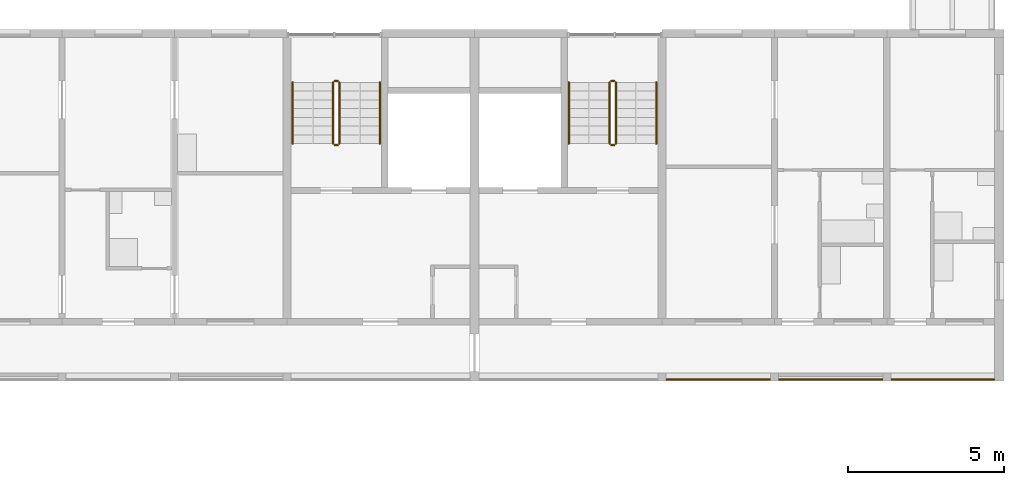
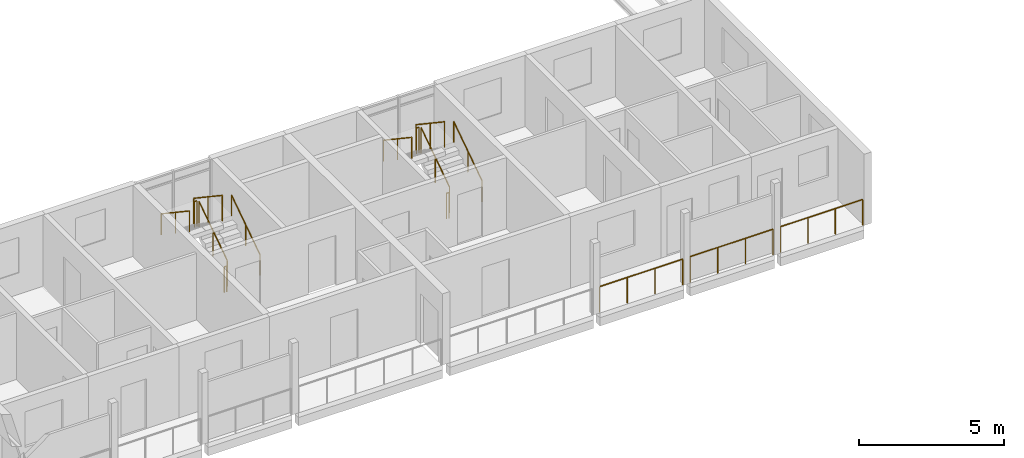
# One storey, part 94 of 98: 15 railings.
"""IFC4 building model written with IfcOpenShell, lengths in metres."""

from ifc_helpers import new_model, si_unit, direction, frame, origin, origin_2d, place, context, subcontext, project, spatial, circle, extrude, material, type_object, element, save


model = new_model("IFC4")

# Units and contexts
model_context = context("Model", 3, precision=1e-05, world=origin(), true_north=direction((0.0, 1.0)))
body_context = subcontext(model_context, "Body", "Model", "MODEL_VIEW")
ifc_project = project(units=[si_unit("LENGTHUNIT", "METRE"), si_unit("AREAUNIT", "SQUARE_METRE"), si_unit("VOLUMEUNIT", "CUBIC_METRE"), si_unit("PLANEANGLEUNIT", "RADIAN"), si_unit("MASSUNIT", "GRAM", prefix="KILO")], contexts=[model_context])

# Site, building, storey
site_placement = place(None, origin())
site = spatial("IfcSite", under=ifc_project, at=site_placement, CompositionType="ELEMENT")
building_placement = place(site_placement, origin())
building = spatial("IfcBuilding", under=site, at=building_placement, Name="Ridgestep Commons", CompositionType="ELEMENT")
storey_placement = place(building_placement, frame((0.0, 0.0, 12.0)))
storey = spatial("IfcBuildingStorey", under=building, at=storey_placement, Name="L04", CompositionType="ELEMENT", Elevation=12.0)

# Railings
ifc_material_1 = material(Name="Structural steel S355JR", Category="steel")
railing_type_1 = type_object("IfcRailingType", Name="Guard 1100", PredefinedType="GUARDRAIL", material=ifc_material_1)
railing_1_placement = place(storey_placement, frame((236.946044921875, 66.050048828125, 0.0)))
element("IfcRailing", 1, at=railing_1_placement, inside=storey, type_object=railing_type_1, Name="Gallery guard C 04.22", PredefinedType="GUARDRAIL", context=body_context, shape_type="SweptSolid", body=[
    extrude(circle(Radius=0.02392578125, at=origin_2d()), frame((0.0, 0.0, 1.076171875), z_axis=(1.0, 0.0, 0.0), x_axis=(0.0, 1.0, 0.0)), (0.0, 0.0, 1.0), 3.307861328125),
    extrude(circle(Radius=0.02099609375, at=origin_2d()), origin(), (0.0, 0.0, 1.0), 1.052001953125),
    extrude(circle(Radius=0.02099609375, at=origin_2d()), frame((1.1025390625, 0.0, 0.0)), (0.0, 0.0, 1.0), 1.052001953125),
    extrude(circle(Radius=0.02099609375, at=origin_2d()), frame((2.205322265625, 0.0, 0.0)), (0.0, 0.0, 1.0), 1.052001953125),
    extrude(circle(Radius=0.02099609375, at=origin_2d()), frame((3.307861328125, 0.0, 0.0)), (0.0, 0.0, 1.0), 1.052001953125),
])
railing_2_placement = place(storey_placement, frame((240.5458984375, 66.050048828125, 0.0)))
element("IfcRailing", 2, at=railing_2_placement, inside=storey, type_object=railing_type_1, Name="Gallery guard C 04.23", PredefinedType="GUARDRAIL", context=body_context, shape_type="SweptSolid", body=[
    extrude(circle(Radius=0.02392578125, at=origin_2d()), frame((0.0, 0.0, 1.076171875), z_axis=(1.0, 0.0, 0.0), x_axis=(0.0, 1.0, 0.0)), (0.0, 0.0, 1.0), 3.30810546875),
    extrude(circle(Radius=0.02099609375, at=origin_2d()), origin(), (0.0, 0.0, 1.0), 1.052001953125),
    extrude(circle(Radius=0.02099609375, at=origin_2d()), frame((1.102783203125, 0.0, 0.0)), (0.0, 0.0, 1.0), 1.052001953125),
    extrude(circle(Radius=0.02099609375, at=origin_2d()), frame((2.205322265625, 0.0, 0.0)), (0.0, 0.0, 1.0), 1.052001953125),
    extrude(circle(Radius=0.02099609375, at=origin_2d()), frame((3.30810546875, 0.0, 0.0)), (0.0, 0.0, 1.0), 1.052001953125),
])
railing_3_placement = place(storey_placement, frame((244.14599609375, 66.050048828125, 0.0)))
element("IfcRailing", 3, at=railing_3_placement, inside=storey, type_object=railing_type_1, Name="Gallery guard C 04.24", PredefinedType="GUARDRAIL", context=body_context, shape_type="SweptSolid", body=[
    extrude(circle(Radius=0.02392578125, at=origin_2d()), frame((0.0, 0.0, 1.076171875), z_axis=(1.0, 0.0, 0.0), x_axis=(0.0, 1.0, 0.0)), (0.0, 0.0, 1.0), 3.282958984375),
    extrude(circle(Radius=0.02099609375, at=origin_2d()), origin(), (0.0, 0.0, 1.0), 1.052001953125),
    extrude(circle(Radius=0.02099609375, at=origin_2d()), frame((1.09423828125, 0.0, 0.0)), (0.0, 0.0, 1.0), 1.052001953125),
    extrude(circle(Radius=0.02099609375, at=origin_2d()), frame((2.188720703125, 0.0, 0.0)), (0.0, 0.0, 1.0), 1.052001953125),
    extrude(circle(Radius=0.02099609375, at=origin_2d()), frame((3.282958984375, 0.0, 0.0)), (0.0, 0.0, 1.0), 1.052001953125),
])
ifc_material_2 = material(Name="Structural steel S355JR", Category="steel")
railing_type_2 = type_object("IfcRailingType", Name="Stair guard 1100", PredefinedType="GUARDRAIL", material=ifc_material_2)
railing_4_placement = place(storey_placement, frame((226.47509765625, 73.60009765625, 0.1875)))
element("IfcRailing", 4, at=railing_4_placement, inside=storey, type_object=railing_type_2, Name="L04 C5C stair guard 1", PredefinedType="GUARDRAIL", context=body_context, shape_type="SweptSolid", body=[
    extrude(circle(Radius=0.02392578125, at=origin_2d()), frame((0.0, 0.0, 1.076171875), z_axis=(0.0, 0.830902050051, 0.556418712142), x_axis=(-1.0, 0.0, 0.0)), (0.0, 0.0, 1.0), 2.35888671875),
    extrude(circle(Radius=0.02099609375, at=origin_2d()), origin(), (0.0, 0.0, 1.0), 1.052001953125),
    extrude(circle(Radius=0.02099609375, at=origin_2d()), frame((0.0, 0.97998046875, 0.65625)), (0.0, 0.0, 1.0), 1.052001953125),
    extrude(circle(Radius=0.02099609375, at=origin_2d()), frame((0.0, 1.9599609375, 1.3125)), (0.0, 0.0, 1.0), 1.052001953125),
])
railing_5_placement = place(storey_placement, frame((226.425048828125, 75.610107421875, 1.5)))
element("IfcRailing", 5, at=railing_5_placement, inside=storey, type_object=railing_type_2, Name="L04 C5C stair guard 2", PredefinedType="GUARDRAIL", context=body_context, shape_type="SweptSolid", body=[
    extrude(circle(Radius=0.02392578125, at=origin_2d()), frame((0.0, 0.0, 1.076171875), z_axis=(-1.0, 0.0, 0.0), x_axis=(0.0, -1.0, 0.0)), (0.0, 0.0, 1.0), 0.10009765625),
    extrude(circle(Radius=0.02099609375, at=origin_2d()), origin(), (0.0, 0.0, 1.0), 1.052001953125),
    extrude(circle(Radius=0.02099609375, at=origin_2d()), frame((-0.10009765625, 0.0, 0.0)), (0.0, 0.0, 1.0), 1.052001953125),
])
railing_6_placement = place(storey_placement, frame((226.27490234375, 75.56005859375, 1.6875)))
element("IfcRailing", 6, at=railing_6_placement, inside=storey, type_object=railing_type_2, Name="L04 C5C stair guard 3", PredefinedType="GUARDRAIL", context=body_context, shape_type="SweptSolid", body=[
    extrude(circle(Radius=0.02392578125, at=origin_2d()), frame((0.0, 0.0, 1.076171875), z_axis=(0.0, -0.830902050051, 0.556418712142), x_axis=(1.0, 0.0, 0.0)), (0.0, 0.0, 1.0), 2.35888671875),
    extrude(circle(Radius=0.02099609375, at=origin_2d()), origin(), (0.0, 0.0, 1.0), 1.052001953125),
    extrude(circle(Radius=0.02099609375, at=origin_2d()), frame((0.0, -0.97998046875, 0.65625)), (0.0, 0.0, 1.0), 1.052001953125),
    extrude(circle(Radius=0.02099609375, at=origin_2d()), frame((0.0, -1.9599609375, 1.3125)), (0.0, 0.0, 1.0), 1.052001953125),
])
railing_7_placement = place(storey_placement, frame((226.425048828125, 73.550048828125, 0.0)))
element("IfcRailing", 7, at=railing_7_placement, inside=storey, type_object=railing_type_2, Name="L04 C5C stair guard 4", PredefinedType="GUARDRAIL", context=body_context, shape_type="SweptSolid", body=[
    extrude(circle(Radius=0.02392578125, at=origin_2d()), frame((0.0, 0.0, 1.076171875), z_axis=(-1.0, 0.0, 0.0), x_axis=(0.0, -1.0, 0.0)), (0.0, 0.0, 1.0), 0.10009765625),
    extrude(circle(Radius=0.02099609375, at=origin_2d()), origin(), (0.0, 0.0, 1.0), 1.052001953125),
    extrude(circle(Radius=0.02099609375, at=origin_2d()), frame((-0.10009765625, 0.0, 0.0)), (0.0, 0.0, 1.0), 1.052001953125),
])
railing_8_placement = place(storey_placement, frame((235.324951171875, 73.60009765625, 0.1875)))
element("IfcRailing", 8, at=railing_8_placement, inside=storey, type_object=railing_type_2, Name="L04 C6C stair guard 1", PredefinedType="GUARDRAIL", context=body_context, shape_type="SweptSolid", body=[
    extrude(circle(Radius=0.02392578125, at=origin_2d()), frame((0.0, 0.0, 1.076171875), z_axis=(0.0, 0.830902050051, 0.556418712142), x_axis=(-1.0, 0.0, 0.0)), (0.0, 0.0, 1.0), 2.35888671875),
    extrude(circle(Radius=0.02099609375, at=origin_2d()), origin(), (0.0, 0.0, 1.0), 1.052001953125),
    extrude(circle(Radius=0.02099609375, at=origin_2d()), frame((0.0, 0.97998046875, 0.65625)), (0.0, 0.0, 1.0), 1.052001953125),
    extrude(circle(Radius=0.02099609375, at=origin_2d()), frame((0.0, 1.9599609375, 1.3125)), (0.0, 0.0, 1.0), 1.052001953125),
])
railing_9_placement = place(storey_placement, frame((235.27490234375, 75.610107421875, 1.5)))
element("IfcRailing", 9, at=railing_9_placement, inside=storey, type_object=railing_type_2, Name="L04 C6C stair guard 2", PredefinedType="GUARDRAIL", context=body_context, shape_type="SweptSolid", body=[
    extrude(circle(Radius=0.02392578125, at=origin_2d()), frame((0.0, 0.0, 1.076171875), z_axis=(-1.0, 0.0, 0.0), x_axis=(0.0, -1.0, 0.0)), (0.0, 0.0, 1.0), 0.099853515625),
    extrude(circle(Radius=0.02099609375, at=origin_2d()), origin(), (0.0, 0.0, 1.0), 1.052001953125),
    extrude(circle(Radius=0.02099609375, at=origin_2d()), frame((-0.099853515625, 0.0, 0.0)), (0.0, 0.0, 1.0), 1.052001953125),
])
railing_10_placement = place(storey_placement, frame((235.125, 75.56005859375, 1.6875)))
element("IfcRailing", 10, at=railing_10_placement, inside=storey, type_object=railing_type_2, Name="L04 C6C stair guard 3", PredefinedType="GUARDRAIL", context=body_context, shape_type="SweptSolid", body=[
    extrude(circle(Radius=0.02392578125, at=origin_2d()), frame((0.0, 0.0, 1.076171875), z_axis=(0.0, -0.830902050051, 0.556418712142), x_axis=(1.0, 0.0, 0.0)), (0.0, 0.0, 1.0), 2.35888671875),
    extrude(circle(Radius=0.02099609375, at=origin_2d()), origin(), (0.0, 0.0, 1.0), 1.052001953125),
    extrude(circle(Radius=0.02099609375, at=origin_2d()), frame((0.0, -0.97998046875, 0.65625)), (0.0, 0.0, 1.0), 1.052001953125),
    extrude(circle(Radius=0.02099609375, at=origin_2d()), frame((0.0, -1.9599609375, 1.3125)), (0.0, 0.0, 1.0), 1.052001953125),
])
railing_11_placement = place(storey_placement, frame((235.27490234375, 73.550048828125, 0.0)))
element("IfcRailing", 11, at=railing_11_placement, inside=storey, type_object=railing_type_2, Name="L04 C6C stair guard 4", PredefinedType="GUARDRAIL", context=body_context, shape_type="SweptSolid", body=[
    extrude(circle(Radius=0.02392578125, at=origin_2d()), frame((0.0, 0.0, 1.076171875), z_axis=(-1.0, 0.0, 0.0), x_axis=(0.0, -1.0, 0.0)), (0.0, 0.0, 1.0), 0.099853515625),
    extrude(circle(Radius=0.02099609375, at=origin_2d()), origin(), (0.0, 0.0, 1.0), 1.052001953125),
    extrude(circle(Radius=0.02099609375, at=origin_2d()), frame((-0.099853515625, 0.0, 0.0)), (0.0, 0.0, 1.0), 1.052001953125),
])
ifc_material_3 = material(Name="Structural steel S355JR", Category="steel")
railing_type_3 = type_object("IfcRailingType", Name="Stair handrail 900", PredefinedType="HANDRAIL", material=ifc_material_3)
railing_12_placement = place(storey_placement, frame((227.77490234375, 73.60009765625, 0.1875)))
element("IfcRailing", 12, at=railing_12_placement, inside=storey, type_object=railing_type_3, Name="L04 C5C stair handrail 1", PredefinedType="HANDRAIL", context=body_context, shape_type="SweptSolid", body=[
    extrude(circle(Radius=0.02392578125, at=origin_2d()), frame((0.0, 0.0, 0.8759765625), z_axis=(0.0, 0.830902050051, 0.556418712142), x_axis=(-1.0, 0.0, 0.0)), (0.0, 0.0, 1.0), 2.35888671875),
    extrude(circle(Radius=0.02099609375, at=origin_2d()), origin(), (0.0, 0.0, 1.0), 0.851806640625),
    extrude(circle(Radius=0.02099609375, at=origin_2d()), frame((0.0, 0.97998046875, 0.65625)), (0.0, 0.0, 1.0), 0.851806640625),
    extrude(circle(Radius=0.02099609375, at=origin_2d()), frame((0.0, 1.9599609375, 1.3125)), (0.0, 0.0, 1.0), 0.851806640625),
])
railing_13_placement = place(storey_placement, frame((224.97509765625, 75.56005859375, 1.6875)))
element("IfcRailing", 13, at=railing_13_placement, inside=storey, type_object=railing_type_3, Name="L04 C5C stair handrail 2", PredefinedType="HANDRAIL", context=body_context, shape_type="SweptSolid", body=[
    extrude(circle(Radius=0.02392578125, at=origin_2d()), frame((0.0, 0.0, 0.8759765625), z_axis=(0.0, -0.830902050051, 0.556418712142), x_axis=(1.0, 0.0, 0.0)), (0.0, 0.0, 1.0), 2.35888671875),
    extrude(circle(Radius=0.02099609375, at=origin_2d()), origin(), (0.0, 0.0, 1.0), 0.851806640625),
    extrude(circle(Radius=0.02099609375, at=origin_2d()), frame((0.0, -0.97998046875, 0.65625)), (0.0, 0.0, 1.0), 0.851806640625),
    extrude(circle(Radius=0.02099609375, at=origin_2d()), frame((0.0, -1.9599609375, 1.3125)), (0.0, 0.0, 1.0), 0.851806640625),
])
railing_14_placement = place(storey_placement, frame((236.625, 73.60009765625, 0.1875)))
element("IfcRailing", 14, at=railing_14_placement, inside=storey, type_object=railing_type_3, Name="L04 C6C stair handrail 1", PredefinedType="HANDRAIL", context=body_context, shape_type="SweptSolid", body=[
    extrude(circle(Radius=0.02392578125, at=origin_2d()), frame((0.0, 0.0, 0.8759765625), z_axis=(0.0, 0.830902050051, 0.556418712142), x_axis=(-1.0, 0.0, 0.0)), (0.0, 0.0, 1.0), 2.35888671875),
    extrude(circle(Radius=0.02099609375, at=origin_2d()), origin(), (0.0, 0.0, 1.0), 0.851806640625),
    extrude(circle(Radius=0.02099609375, at=origin_2d()), frame((0.0, 0.97998046875, 0.65625)), (0.0, 0.0, 1.0), 0.851806640625),
    extrude(circle(Radius=0.02099609375, at=origin_2d()), frame((0.0, 1.9599609375, 1.3125)), (0.0, 0.0, 1.0), 0.851806640625),
])
railing_15_placement = place(storey_placement, frame((233.824951171875, 75.56005859375, 1.6875)))
element("IfcRailing", 15, at=railing_15_placement, inside=storey, type_object=railing_type_3, Name="L04 C6C stair handrail 2", PredefinedType="HANDRAIL", context=body_context, shape_type="SweptSolid", body=[
    extrude(circle(Radius=0.02392578125, at=origin_2d()), frame((0.0, 0.0, 0.8759765625), z_axis=(0.0, -0.830902050051, 0.556418712142), x_axis=(1.0, 0.0, 0.0)), (0.0, 0.0, 1.0), 2.35888671875),
    extrude(circle(Radius=0.02099609375, at=origin_2d()), origin(), (0.0, 0.0, 1.0), 0.851806640625),
    extrude(circle(Radius=0.02099609375, at=origin_2d()), frame((0.0, -0.97998046875, 0.65625)), (0.0, 0.0, 1.0), 0.851806640625),
    extrude(circle(Radius=0.02099609375, at=origin_2d()), frame((0.0, -1.9599609375, 1.3125)), (0.0, 0.0, 1.0), 0.851806640625),
])

save(model, "model.ifc")
